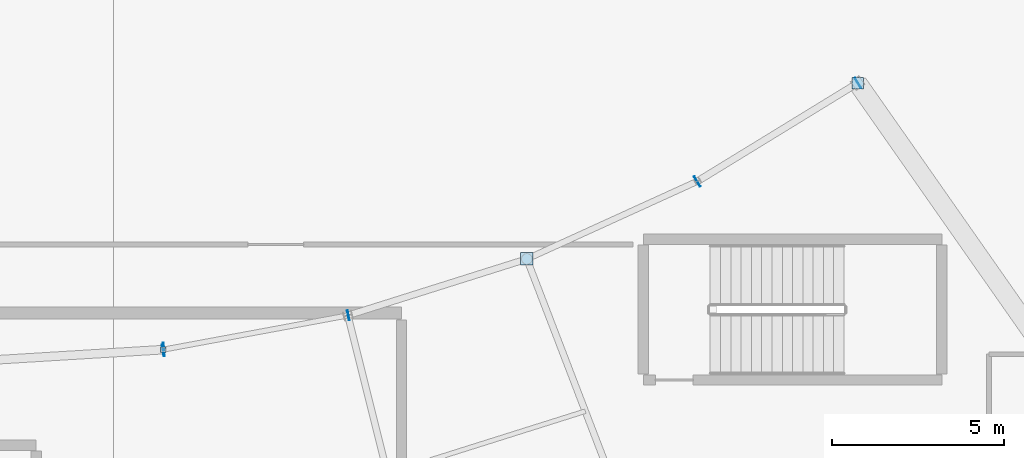
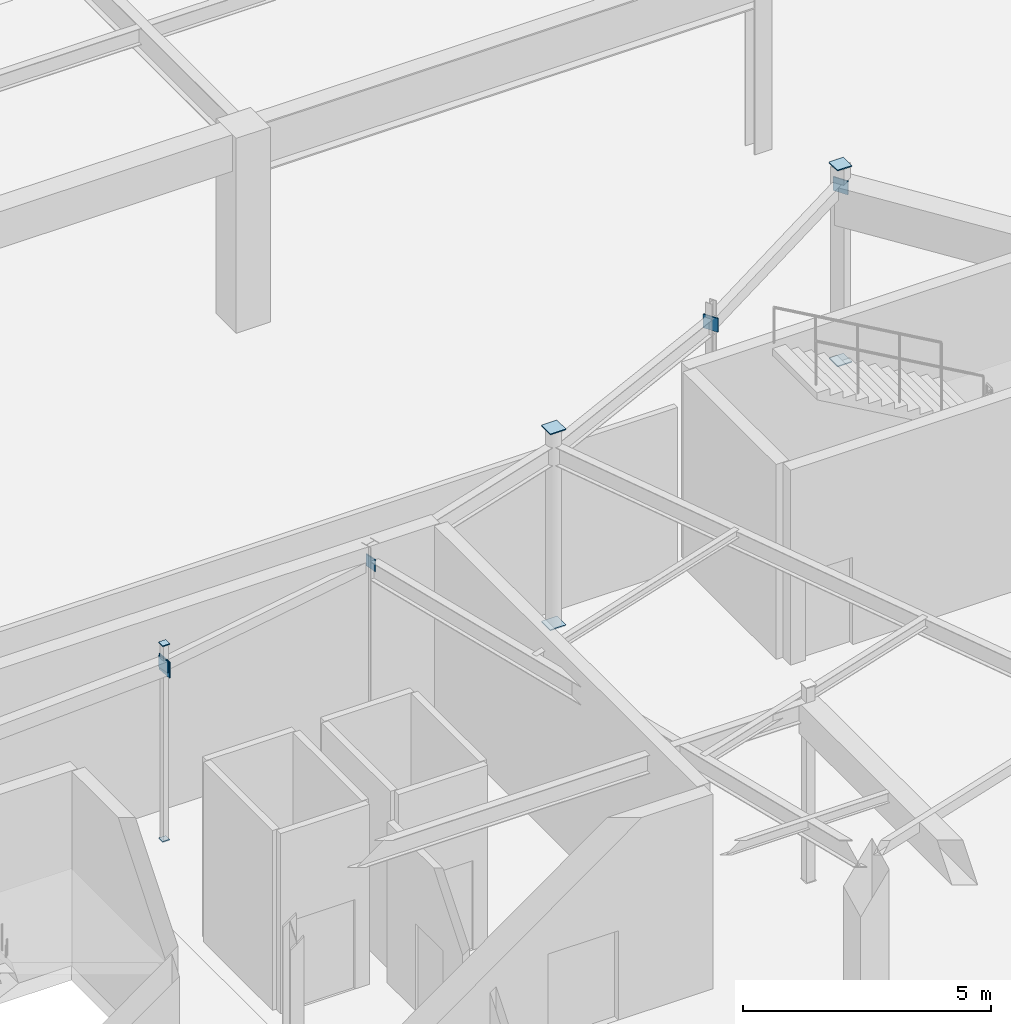
# One storey, part 134 of 186: 11 plates.
"""IFC4 building model written with IfcOpenShell, lengths in metres."""

from ifc_helpers import new_model, si_unit, direction, frame, origin, origin_2d, place, context, subcontext, project, spatial, rectangle, extrude, material, layer, layer_set, type_object, element, save


model = new_model("IFC4")

# Units and contexts
model_context = context("Model", 3, precision=1e-05, world=origin(), true_north=direction((0.0, 1.0)))
body_context = subcontext(model_context, "Body", "Model", "MODEL_VIEW")
ifc_project = project(units=[si_unit("LENGTHUNIT", "METRE"), si_unit("AREAUNIT", "SQUARE_METRE"), si_unit("VOLUMEUNIT", "CUBIC_METRE"), si_unit("PLANEANGLEUNIT", "RADIAN"), si_unit("MASSUNIT", "GRAM", prefix="KILO")], contexts=[model_context])

# Site, building, storey
site_placement = place(None, origin())
site = spatial("IfcSite", under=ifc_project, at=site_placement, CompositionType="ELEMENT")
building_placement = place(site_placement, origin())
building = spatial("IfcBuilding", under=site, at=building_placement, Name="Tarnwether General Hospital", CompositionType="ELEMENT")
storey_placement = place(building_placement, frame((0.0, 0.0, 9.60009765625)))
storey = spatial("IfcBuildingStorey", under=building, at=storey_placement, Name="L02", CompositionType="ELEMENT", Elevation=9.60009765625)

# Plates
ifc_material = material(Name="Steel Grade 350 (350 MPa)", Category="steel")
ifc_layer = layer(ifc_material, 0.02490234375)
ifc_layer_set = layer_set([ifc_layer], Name="Steel Grade 350 (350 MPa)")
plate_type = type_object("IfcPlateType", Name="PT-GUS2", PredefinedType="USERDEFINED", material=ifc_layer_set)
for number, where, z_axis, x_axis, name in (
    (1, (97.4599609375, 18.533935546875, -0.025146484375), (0.0, 0.0, 1.0), (1.0, 0.0, 0.0), "Hollow Section Welded End Cap Plate 0701"),
    (2, (97.4599609375, 18.533935546875, 4.800048828125), (0.0, 0.0, 1.0), (1.0, 0.0, 0.0), "Hollow Section Welded End Cap Plate 0702"),
):
    element("IfcPlate", number, at=place(storey_placement, frame(where, z_axis=z_axis, x_axis=x_axis)), inside=storey, type_object=plate_type, Name=name, ObjectType="GUSSET", PredefinedType="USERDEFINED", context=body_context, shape_type="SweptSolid", body=[
        extrude(rectangle(XDim=0.1650390625, YDim=0.1650390625, at=origin_2d()), origin(), (0.0, 0.0, 1.0), 0.02490234375),
    ])
for number, where, z_axis, x_axis, name in (
    (3, (108.054931640625, 21.176025390625, -0.025146484375), (0.0, 0.0, 1.0), (1.0, 0.0, 0.0), "Hollow Section Welded End Cap Plate 0723"),
    (4, (108.054931640625, 21.176025390625, 4.800048828125), (0.0, 0.0, 1.0), (1.0, 0.0, 0.0), "Hollow Section Welded End Cap Plate 0724"),
):
    element("IfcPlate", number, at=place(storey_placement, frame(where, z_axis=z_axis, x_axis=x_axis)), inside=storey, type_object=plate_type, Name=name, ObjectType="GUSSET", PredefinedType="USERDEFINED", context=body_context, shape_type="SweptSolid", body=[
        extrude(rectangle(XDim=0.364013671875, YDim=0.364013671875, at=origin_2d()), origin(), (0.0, 0.0, 1.0), 0.02490234375),
    ])
for number, where, z_axis, x_axis, name in (
    (5, (117.696044921875, 26.302001953125, -0.025146484375), (0.0, 0.0, 1.0), (1.0, 0.0, 0.0), "Hollow Section Welded End Cap Plate 0747"),
    (6, (117.696044921875, 26.302001953125, 4.800048828125), (0.0, 0.0, 1.0), (1.0, 0.0, 0.0), "Hollow Section Welded End Cap Plate 0748"),
):
    element("IfcPlate", number, at=place(storey_placement, frame(where, z_axis=z_axis, x_axis=x_axis)), inside=storey, type_object=plate_type, Name=name, ObjectType="GUSSET", PredefinedType="USERDEFINED", context=body_context, shape_type="SweptSolid", body=[
        extrude(rectangle(XDim=0.340087890625, YDim=0.340087890625, at=origin_2d()), origin(), (0.0, 0.0, 1.0), 0.02490234375),
    ])
plate_placement = place(storey_placement, frame((97.472412109375, 18.534912109375, 4.06005859375), z_axis=(0.0, 0.0, 1.0), x_axis=(0.998133732772, 0.061065960264, 0.0)))
element("IfcPlate", 7, at=plate_placement, inside=storey, type_object=plate_type, Name="Hollow Section Welded End Cap Plate 1098", ObjectType="GUSSET", PredefinedType="USERDEFINED", context=body_context, shape_type="SweptSolid", body=[
    extrude(rectangle(XDim=0.02490234375, YDim=0.389892578125, at=origin_2d()), origin(), (0.0, 0.0, 1.0), 0.389892578125),
])
for number, where, z_axis, x_axis, name in (
    (8, (97.44775390625, 18.53173828125, 4.159912109375), (0.0, 0.0, 1.0), (0.983245364386, 0.182287008349, 0.0), "Hollow Section Welded End Cap Plate 1101"),
    (9, (102.850341796875, 19.533203125, 4.159912109375), (0.0, 0.0, 1.0), (0.983245364386, 0.182287008349, 0.0), "Hollow Section Welded End Cap Plate 1102"),
):
    element("IfcPlate", number, at=place(storey_placement, frame(where, z_axis=z_axis, x_axis=x_axis)), inside=storey, type_object=plate_type, Name=name, ObjectType="GUSSET", PredefinedType="USERDEFINED", context=body_context, shape_type="SweptSolid", body=[
        extrude(rectangle(XDim=0.02490234375, YDim=0.2900390625, at=origin_2d()), origin(), (0.0, 0.0, 1.0), 0.2900390625),
    ])
for number, where, z_axis, x_axis, name in (
    (10, (113.021240234375, 23.4375, 4.10986328125), (0.0, 0.0, 1.0), (0.852649283545, 0.522483683258, 0.0), "Hollow Section Welded End Cap Plate 1105"),
    (11, (117.706787109375, 26.30859375, 4.10986328125), (0.0, 0.0, 1.0), (0.852649283545, 0.522483683258, 0.0), "Hollow Section Welded End Cap Plate 1106"),
):
    element("IfcPlate", number, at=place(storey_placement, frame(where, z_axis=z_axis, x_axis=x_axis)), inside=storey, type_object=plate_type, Name=name, ObjectType="GUSSET", PredefinedType="USERDEFINED", context=body_context, shape_type="SweptSolid", body=[
        extrude(rectangle(XDim=0.02490234375, YDim=0.340087890625, at=origin_2d()), origin(), (0.0, 0.0, 1.0), 0.340087890625),
    ])

save(model, "model.ifc")
